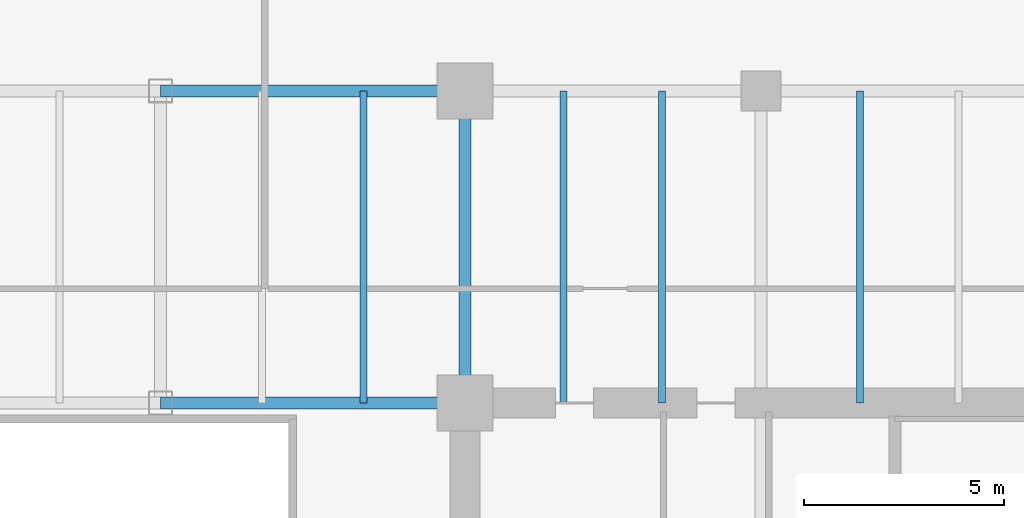
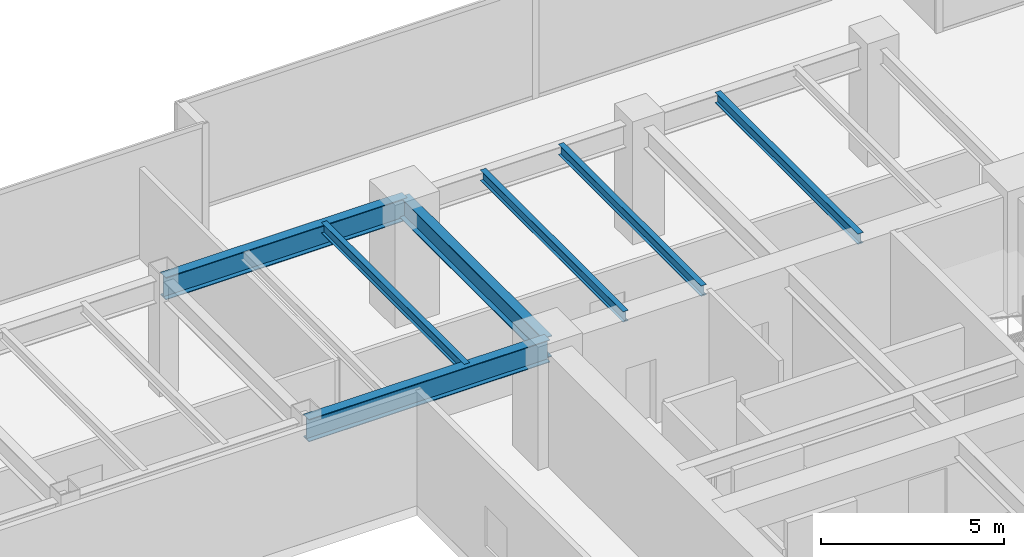
# One storey, part 19 of 35: 7 beams.
"""IFC4 building model written with IfcOpenShell, lengths in metres."""

from ifc_helpers import new_model, si_unit, direction, frame, origin, origin_2d, place, context, subcontext, project, spatial, i_section, extrude, source, transform, mapped, material, material_profile, profile_set, type_object, type_shapes, element, save


model = new_model("IFC4")

# Units and contexts
model_context = context("Model", 3, precision=1e-05, world=origin(), true_north=direction((0.0, 1.0)))
body_context = subcontext(model_context, "Body", "Model", "MODEL_VIEW")
ifc_project = project(units=[si_unit("LENGTHUNIT", "METRE"), si_unit("AREAUNIT", "SQUARE_METRE"), si_unit("VOLUMEUNIT", "CUBIC_METRE"), si_unit("PLANEANGLEUNIT", "RADIAN"), si_unit("MASSUNIT", "GRAM", prefix="KILO")], contexts=[model_context])

# Site, building, storey
site_placement = place(None, origin())
site = spatial("IfcSite", under=ifc_project, at=site_placement, CompositionType="ELEMENT")
building_placement = place(site_placement, origin())
building = spatial("IfcBuilding", under=site, at=building_placement, Name="Haelvirn Gate Laboratories", CompositionType="ELEMENT")
storey_placement = place(building_placement, frame((0.0, 0.0, 37.5)))
storey = spatial("IfcBuildingStorey", under=building, at=storey_placement, Name="L09", CompositionType="ELEMENT", Elevation=37.5)

# Beams
ifc_material = material(Name="Steel SM355", Category="steel")
ifc_material_profile_1 = material_profile(ifc_material, i_section(OverallWidth=0.300048828125, OverallDepth=0.699951171875, WebThickness=0.012939453125, FlangeThickness=0.02392578125, at=origin_2d()), Name="H-700x300x13x24")
ifc_profile_set_1 = profile_set([ifc_material_profile_1], Name="Steel SM355")
beam_type_1 = type_object("IfcBeamType", Name="BM-G-700", PredefinedType="BEAM", material=ifc_profile_set_1)
shared_shape_1 = source(origin(), body_context, "Body", "SweptSolid", [
    extrude(i_section(OverallWidth=0.300048828125, OverallDepth=0.699951171875, WebThickness=0.012939453125, FlangeThickness=0.02392578125, at=origin_2d()), origin(), (0.0, 0.0, 1.0), 7.800048828125),
])
type_shapes(beam_type_1, [shared_shape_1])
beam_placement = place(storey_placement, frame((52.60009765625, 33.800048828125, 3.429931640625), z_axis=(0.0, 1.0, 0.0), x_axis=(-1.0, 0.0, 0.0)))
element("IfcBeam", 1, at=beam_placement, inside=storey, type_object=beam_type_1, Name="L09 Frame Girder X52.6 (33.8-41.6)", PredefinedType="BEAM", context=body_context, shape_type="MappedRepresentation", body=[
    mapped(shared_shape_1, transform((0.0, 0.0, 0.0), scale=1.0)),
])
ifc_material_profile_2 = material_profile(ifc_material, i_section(OverallWidth=0.300048828125, OverallDepth=0.75, WebThickness=0.013916015625, FlangeThickness=0.02392578125, at=origin_2d()), Name="H-750x300x14x24")
ifc_profile_set_2 = profile_set([ifc_material_profile_2], Name="Steel SM355")
beam_type_2 = type_object("IfcBeamType", Name="BM-G-750", PredefinedType="BEAM", material=ifc_profile_set_2)
shared_shape_2 = source(origin(), body_context, "Body", "SweptSolid", [
    extrude(i_section(OverallWidth=0.300048828125, OverallDepth=0.75, WebThickness=0.013916015625, FlangeThickness=0.02392578125, at=origin_2d()), origin(), (0.0, 0.0, 1.0), 7.60009765625),
])
type_shapes(beam_type_2, [shared_shape_2])
for number, where, z_axis, x_axis, name in (
    (2, (45.0, 33.800048828125, 3.405029296875), (1.0, 0.0, 0.0), (0.0, 1.0, 0.0), "L09 Primary Girder Y33.8 (45.0-52.6)"),
    (3, (45.0, 41.60009765625, 3.405029296875), (1.0, 0.0, 0.0), (0.0, 1.0, 0.0), "L09 Primary Girder Y41.6 (45.0-52.6)"),
):
    element("IfcBeam", number, at=place(storey_placement, frame(where, z_axis=z_axis, x_axis=x_axis)), inside=storey, type_object=beam_type_2, Name=name, PredefinedType="BEAM", context=body_context, shape_type="MappedRepresentation", body=[
        mapped(shared_shape_2, transform((0.0, 0.0, 0.0), scale=1.0)),
    ])
ifc_material_profile_3 = material_profile(ifc_material, i_section(OverallWidth=0.175048828125, OverallDepth=0.35009765625, WebThickness=0.007080078125, FlangeThickness=0.010986328125, at=origin_2d()), Name="H-350x175x7x11")
ifc_profile_set_3 = profile_set([ifc_material_profile_3], Name="Steel SM355")
beam_type_3 = type_object("IfcBeamType", Name="BM-J-350", PredefinedType="JOIST", material=ifc_profile_set_3)
shared_shape_3 = source(origin(), body_context, "Body", "SweptSolid", [
    extrude(i_section(OverallWidth=0.175048828125, OverallDepth=0.35009765625, WebThickness=0.007080078125, FlangeThickness=0.010986328125, at=origin_2d()), origin(), (0.0, 0.0, 1.0), 7.800048828125),
])
type_shapes(beam_type_3, [shared_shape_3])
for number, where, z_axis, x_axis, name in (
    (4, (50.070068359375, 33.800048828125, 3.60498046875), (0.0, 1.0, 0.0), (-1.0, 0.0, 0.0), "L09 Composite Lab Joist North X50.07"),
    (5, (55.070068359375, 33.800048828125, 3.60498046875), (0.0, 1.0, 0.0), (-1.0, 0.0, 0.0), "L09 Composite Lab Joist North X55.07"),
    (6, (57.530029296875, 33.800048828125, 3.60498046875), (0.0, 1.0, 0.0), (-1.0, 0.0, 0.0), "L09 Composite Lab Joist North X57.53"),
    (7, (62.469970703125, 33.800048828125, 3.60498046875), (0.0, 1.0, 0.0), (-1.0, 0.0, 0.0), "L09 Composite Lab Joist North X62.47"),
):
    element("IfcBeam", number, at=place(storey_placement, frame(where, z_axis=z_axis, x_axis=x_axis)), inside=storey, type_object=beam_type_3, Name=name, PredefinedType="JOIST", context=body_context, shape_type="MappedRepresentation", body=[
        mapped(shared_shape_3, transform((0.0, 0.0, 0.0), scale=1.0)),
    ])

save(model, "model.ifc")
